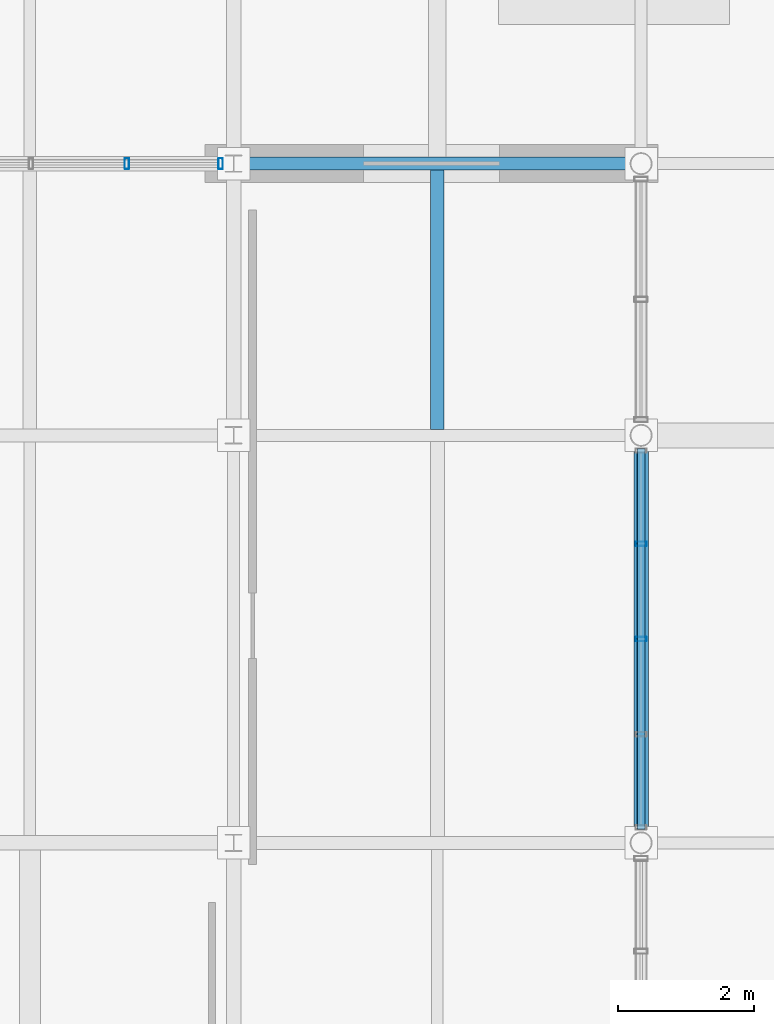
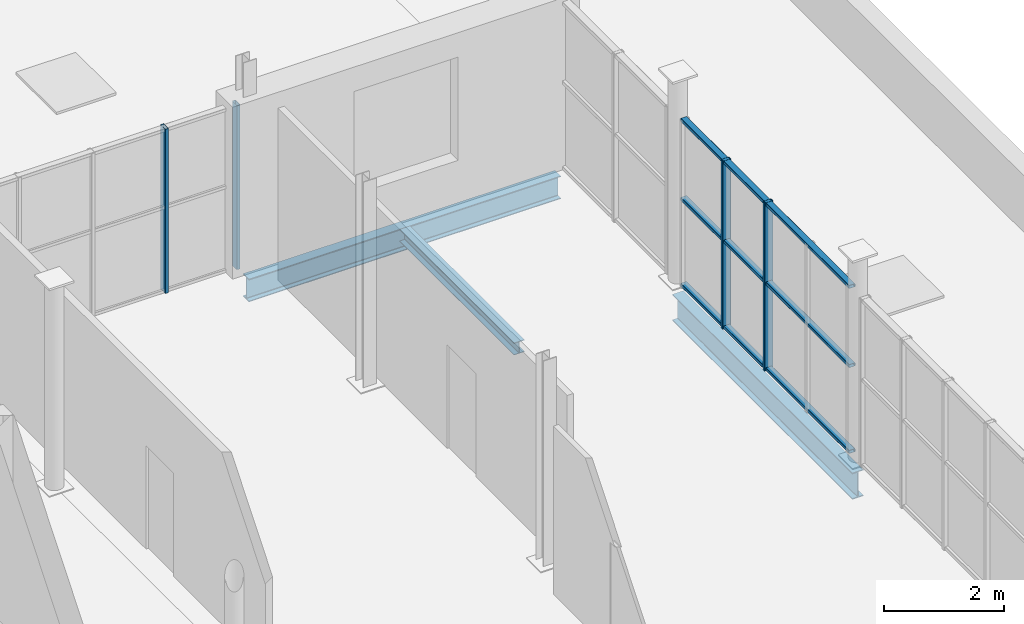
# One storey, part 19 of 27: 7 members, 3 beams, 2 elements without a shape of their own.
"""IFC4 building model written with IfcOpenShell, lengths in metres."""

from ifc_helpers import new_model, si_unit, direction, frame, origin, origin_2d, place, context, subcontext, project, spatial, hollow_rectangle, i_section, extrude, material, material_profile, profile_set, type_object, element, aggregate, save


model = new_model("IFC4")

# Units and contexts
model_context = context("Model", 3, precision=1e-05, world=origin(), true_north=direction((0.0, 1.0)))
body_context = subcontext(model_context, "Body", "Model", "MODEL_VIEW")
ifc_project = project(units=[si_unit("LENGTHUNIT", "METRE"), si_unit("AREAUNIT", "SQUARE_METRE"), si_unit("VOLUMEUNIT", "CUBIC_METRE"), si_unit("PLANEANGLEUNIT", "RADIAN"), si_unit("MASSUNIT", "GRAM", prefix="KILO")], contexts=[model_context])

# Site, building, storey
site_placement = place(None, origin())
site = spatial("IfcSite", under=ifc_project, at=site_placement, CompositionType="ELEMENT")
building_placement = place(site_placement, origin())
building = spatial("IfcBuilding", under=site, at=building_placement, Name="Verrall Gate Interchange", CompositionType="ELEMENT")
storey_placement = place(building_placement, frame((0.0, 0.0, 28.60009765625)))
storey = spatial("IfcBuildingStorey", under=building, at=storey_placement, Name="L07", CompositionType="ELEMENT", Elevation=28.60009765625)

# Beams
ifc_material_1 = material(Name="Structural Steel CSA G40.21 350W", Category="steel")
ifc_material_profile_1 = material_profile(ifc_material_1, i_section(OverallWidth=0.2109375, OverallDepth=0.5390625, WebThickness=0.01171875, FlangeThickness=0.018798828125, FilletRadius=0.013916015625, at=origin_2d()), Name="W530x109")
ifc_profile_set_1 = profile_set([ifc_material_profile_1], Name="Structural Steel CSA G40.21 350W")
beam_type_1 = type_object("IfcBeamType", Name="B-10 Structural Beam W530x109", PredefinedType="BEAM", material=ifc_profile_set_1)
beam_1_placement = place(storey_placement, frame((30.0, 34.0, -0.529541015625), z_axis=(0.0, 1.0, 0.0), x_axis=(-1.0, 0.0, 0.0)))
element("IfcBeam", 1, at=beam_1_placement, inside=storey, type_object=beam_type_1, Name="L07 Girder BM-L07-3305 (B-10)", PredefinedType="BEAM", context=body_context, shape_type="SweptSolid", body=[
    extrude(i_section(OverallWidth=0.2109375, OverallDepth=0.5390625, WebThickness=0.01171875, FlangeThickness=0.018798828125, FilletRadius=0.013916015625, at=origin_2d()), origin(), (0.0, 0.0, 1.0), 6.0),
])
ifc_material_2 = material(Name="Structural Steel CSA G40.21 350W", Category="steel")
ifc_material_profile_2 = material_profile(ifc_material_2, i_section(OverallWidth=0.19189453125, OverallDepth=0.462890625, WebThickness=0.010498046875, FlangeThickness=0.017578125, FilletRadius=0.012939453125, at=origin_2d()), Name="W460x89")
ifc_profile_set_2 = profile_set([ifc_material_profile_2], Name="Structural Steel CSA G40.21 350W")
beam_type_2 = type_object("IfcBeamType", Name="B-11 Structural Beam W460x89", PredefinedType="BEAM", material=ifc_profile_set_2)
beam_2_placement = place(storey_placement, frame((24.0, 44.0, -0.49169921875), z_axis=(1.0, 0.0, 0.0), x_axis=(0.0, 1.0, 0.0)))
element("IfcBeam", 2, at=beam_2_placement, inside=storey, type_object=beam_type_2, Name="L07 Girder BM-L07-3254 (B-11)", PredefinedType="BEAM", context=body_context, shape_type="SweptSolid", body=[
    extrude(i_section(OverallWidth=0.19189453125, OverallDepth=0.462890625, WebThickness=0.010498046875, FlangeThickness=0.017578125, FilletRadius=0.012939453125, at=origin_2d()), origin(), (0.0, 0.0, 1.0), 6.0),
])

# Curtain wall, members
ifc_material_3 = material(Name="Thermally Broken Anodized Aluminium Curtain Wall Framing", Category="aluminium")
curtain_wall_type_1 = type_object("IfcCurtainWallType", Name="CW-50 Unitized Curtain Wall 5647x3420", PredefinedType="NOTDEFINED", material=ifc_material_3)
curtain_wall_1_placement = place(storey_placement, origin())
curtain_wall_1 = element("IfcCurtainWall", 3, at=curtain_wall_1_placement, inside=storey, type_object=curtain_wall_type_1, Name="L07 Unitized Curtain Wall CW-L07-160", PredefinedType="NOTDEFINED")
ifc_material_4 = material(Name="Thermally Broken Anodized Aluminium Curtain Wall Framing", Category="aluminium")
ifc_material_profile_3 = material_profile(ifc_material_4, hollow_rectangle(XDim=0.06494140625, YDim=0.159912109375, WallThickness=0.00390625, InnerFilletRadius=0.00390625, OuterFilletRadius=0.008056640625, at=origin_2d()), Name="CWM160x65x4")
ifc_profile_set_3 = profile_set([ifc_material_profile_3], Name="Thermally Broken Anodized Aluminium Curtain Wall Framing")
member_type_1 = type_object("IfcMemberType", Name="CM-01 Curtain Mullion CWM160x65x4", PredefinedType="MULLION", material=ifc_profile_set_3)
member_1_placement = place(storey_placement, frame((30.0, 37.0, 0.0), z_axis=(0.0, 0.0, 1.0), x_axis=(0.0, 1.0, 0.0)))
member_1 = element("IfcMember", 4, at=member_1_placement, type_object=member_type_1, Name="CW-L07-160 Mullion 3", PredefinedType="MULLION", context=body_context, shape_type="SweptSolid", body=[
    extrude(hollow_rectangle(XDim=0.06494140625, YDim=0.159912109375, WallThickness=0.00390625, InnerFilletRadius=0.00390625, OuterFilletRadius=0.008056640625, at=origin_2d()), origin(), (0.0, 0.0, 1.0), 3.419921875),
])
member_2_placement = place(storey_placement, frame((30.0, 38.403076171875, 0.0), z_axis=(0.0, 0.0, 1.0), x_axis=(0.0, 1.0, 0.0)))
member_2 = element("IfcMember", 5, at=member_2_placement, type_object=member_type_1, Name="CW-L07-160 Mullion 4", PredefinedType="MULLION", context=body_context, shape_type="SweptSolid", body=[
    extrude(hollow_rectangle(XDim=0.06494140625, YDim=0.159912109375, WallThickness=0.00390625, InnerFilletRadius=0.00390625, OuterFilletRadius=0.008056640625, at=origin_2d()), origin(), (0.0, 0.0, 1.0), 3.419921875),
])

ifc_material_5 = material(Name="Thermally Broken Anodized Aluminium Curtain Wall Framing", Category="aluminium")
curtain_wall_type_2 = type_object("IfcCurtainWallType", Name="CW-43 Unitized Curtain Wall 5612x3310", PredefinedType="NOTDEFINED", material=ifc_material_5)
curtain_wall_2_placement = place(storey_placement, origin())
curtain_wall_2 = element("IfcCurtainWall", 6, at=curtain_wall_2_placement, inside=storey, type_object=curtain_wall_type_2, Name="L07 Unitized Curtain Wall CW-L07-162", PredefinedType="NOTDEFINED")
member_3_placement = place(storey_placement, frame((23.80859375, 44.0, 0.0), z_axis=(0.0, 0.0, 1.0), x_axis=(-1.0, 0.0, 0.0)))
member_3 = element("IfcMember", 7, at=member_3_placement, type_object=member_type_1, Name="CW-L07-162 Mullion 1", PredefinedType="MULLION", context=body_context, shape_type="SweptSolid", body=[
    extrude(hollow_rectangle(XDim=0.06494140625, YDim=0.159912109375, WallThickness=0.00390625, InnerFilletRadius=0.00390625, OuterFilletRadius=0.008056640625, at=origin_2d()), origin(), (0.0, 0.0, 1.0), 3.33984375),
])
member_4_placement = place(storey_placement, frame((22.42919921875, 44.0, 0.0), z_axis=(0.0, 0.0, 1.0), x_axis=(-1.0, 0.0, 0.0)))
member_4 = element("IfcMember", 8, at=member_4_placement, type_object=member_type_1, Name="CW-L07-162 Mullion 2", PredefinedType="MULLION", context=body_context, shape_type="SweptSolid", body=[
    extrude(hollow_rectangle(XDim=0.06494140625, YDim=0.159912109375, WallThickness=0.00390625, InnerFilletRadius=0.00390625, OuterFilletRadius=0.008056640625, at=origin_2d()), origin(), (0.0, 0.0, 1.0), 3.33984375),
])
aggregate(curtain_wall_2, [member_3, member_4])

# Member
ifc_material_6 = material(Name="Thermally Broken Anodized Aluminium Curtain Wall Framing", Category="aluminium")
ifc_material_profile_4 = material_profile(ifc_material_6, hollow_rectangle(XDim=0.1201171875, YDim=0.06494140625, WallThickness=0.00390625, InnerFilletRadius=0.00390625, OuterFilletRadius=0.008056640625, at=origin_2d()), Name="CWT120x65x4")
ifc_profile_set_4 = profile_set([ifc_material_profile_4], Name="Thermally Broken Anodized Aluminium Curtain Wall Framing")
member_type_2 = type_object("IfcMemberType", Name="CT-01 Curtain Transom CWT120x65x4", PredefinedType="USERDEFINED", material=ifc_profile_set_4)
member_5_placement = place(storey_placement, frame((30.0, 34.19384765625, 0.032470703125), z_axis=(0.0, 1.0, 0.0), x_axis=(-1.0, 0.0, 0.0)))
member_5 = element("IfcMember", 9, at=member_5_placement, type_object=member_type_2, Name="CW-L07-160 Transom 1", ObjectType="TRANSOM", PredefinedType="USERDEFINED", context=body_context, shape_type="SweptSolid", body=[
    extrude(hollow_rectangle(XDim=0.1201171875, YDim=0.06494140625, WallThickness=0.00390625, InnerFilletRadius=0.00390625, OuterFilletRadius=0.008056640625, at=origin_2d()), origin(), (0.0, 0.0, 1.0), 5.6123046875),
])

member_6_placement = place(storey_placement, frame((30.0, 34.19384765625, 1.7783203125), z_axis=(0.0, 1.0, 0.0), x_axis=(-1.0, 0.0, 0.0)))
member_6 = element("IfcMember", 10, at=member_6_placement, type_object=member_type_2, Name="CW-L07-160 Transom 2", ObjectType="TRANSOM", PredefinedType="USERDEFINED", context=body_context, shape_type="SweptSolid", body=[
    extrude(hollow_rectangle(XDim=0.1201171875, YDim=0.06494140625, WallThickness=0.00390625, InnerFilletRadius=0.00390625, OuterFilletRadius=0.008056640625, at=origin_2d()), origin(), (0.0, 0.0, 1.0), 5.6123046875),
])

member_7_placement = place(storey_placement, frame((30.0, 34.19384765625, 3.387451171875), z_axis=(0.0, 1.0, 0.0), x_axis=(-1.0, 0.0, 0.0)))
member_7 = element("IfcMember", 11, at=member_7_placement, type_object=member_type_2, Name="CW-L07-160 Transom 3", ObjectType="TRANSOM", PredefinedType="USERDEFINED", context=body_context, shape_type="SweptSolid", body=[
    extrude(hollow_rectangle(XDim=0.1201171875, YDim=0.06494140625, WallThickness=0.00390625, InnerFilletRadius=0.00390625, OuterFilletRadius=0.008056640625, at=origin_2d()), origin(), (0.0, 0.0, 1.0), 5.6123046875),
])

aggregate(curtain_wall_1, [member_1, member_2, member_5, member_6, member_7])

# Beam
ifc_material_7 = material(Name="Structural Steel CSA G40.21 350W", Category="steel")
ifc_material_profile_5 = material_profile(ifc_material_7, i_section(OverallWidth=0.201904296875, OverallDepth=0.2470703125, WebThickness=0.00732421875, FlangeThickness=0.010986328125, FilletRadius=0.010986328125, at=origin_2d()), Name="W250x49")
ifc_profile_set_5 = profile_set([ifc_material_profile_5], Name="Structural Steel CSA G40.21 350W")
beam_type_3 = type_object("IfcBeamType", Name="J-06 Floor Joist W250x49", PredefinedType="JOIST", material=ifc_profile_set_5)
beam_3_placement = place(storey_placement, frame((27.0, 40.089599609375, -0.383544921875), z_axis=(0.0, 1.0, 0.0), x_axis=(-1.0, 0.0, 0.0)))
element("IfcBeam", 12, at=beam_3_placement, inside=storey, type_object=beam_type_3, Name="L07 Secondary Floor Joist JST-L07-3341", PredefinedType="JOIST", context=body_context, shape_type="SweptSolid", body=[
    extrude(i_section(OverallWidth=0.201904296875, OverallDepth=0.2470703125, WebThickness=0.00732421875, FlangeThickness=0.010986328125, FilletRadius=0.010986328125, at=origin_2d()), origin(), (0.0, 0.0, 1.0), 3.814453125),
])

save(model, "model.ifc")
